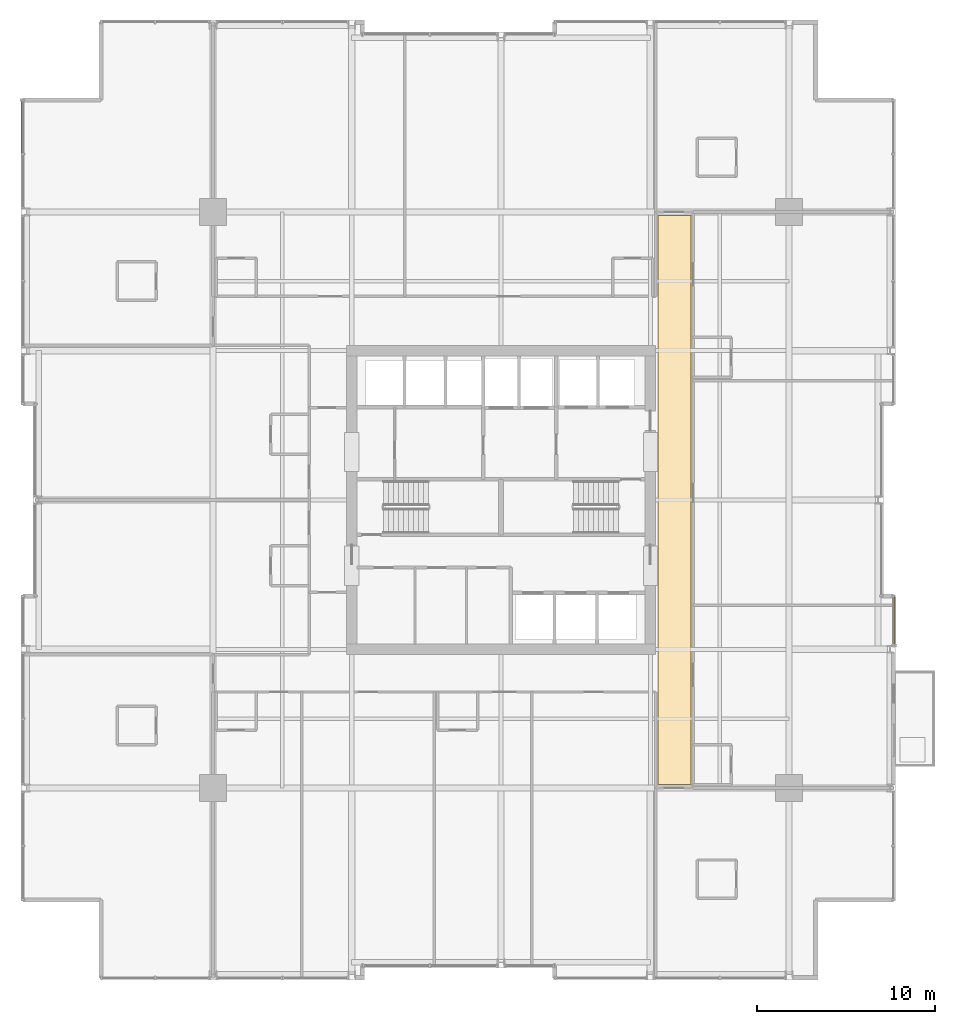
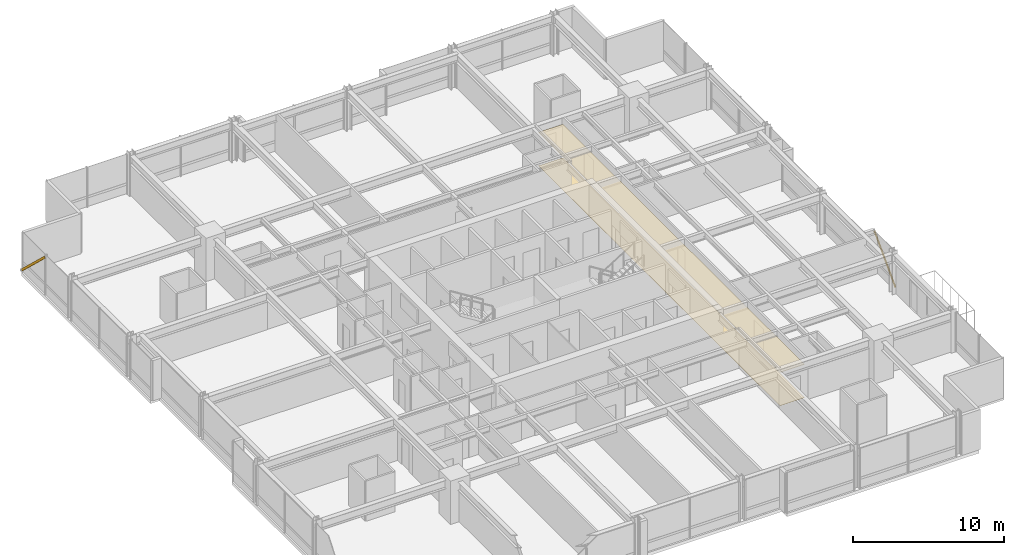
# One storey, part 33 of 33: 2 coverings, 2 shading devices.
"""IFC4 building model written with IfcOpenShell, lengths in metres."""

from ifc_helpers import new_model, si_unit, direction, frame, origin, origin_2d, place, context, subcontext, project, spatial, polyline, hollow_rectangle, outline, extrude, material, layer, layer_set, material_profile, profile_set, type_object, element, save


model = new_model("IFC4")

# Units and contexts
model_context = context("Model", 3, precision=1e-05, world=origin(), true_north=direction((0.0, 1.0)))
body_context = subcontext(model_context, "Body", "Model", "MODEL_VIEW")
ifc_project = project(units=[si_unit("LENGTHUNIT", "METRE"), si_unit("AREAUNIT", "SQUARE_METRE"), si_unit("VOLUMEUNIT", "CUBIC_METRE"), si_unit("PLANEANGLEUNIT", "RADIAN"), si_unit("MASSUNIT", "GRAM", prefix="KILO")], contexts=[model_context])

# Site, building, storey
site_placement = place(None, origin())
site = spatial("IfcSite", under=ifc_project, at=site_placement, CompositionType="ELEMENT")
building_placement = place(site_placement, origin())
building = spatial("IfcBuilding", under=site, at=building_placement, Name="Drelvath Grand Hotel", CompositionType="ELEMENT")
storey_placement = place(building_placement, frame((0.0, 0.0, 119.800048828125)))
storey = spatial("IfcBuildingStorey", under=building, at=storey_placement, Name="L30", CompositionType="ELEMENT", Elevation=119.800048828125)

# Shading devices
ifc_material_1 = material(Name="Champagne Bronze Anodised Aluminium", Category="aluminium")
ifc_material_profile = material_profile(ifc_material_1, hollow_rectangle(XDim=0.06494140625, YDim=0.159912109375, WallThickness=0.00390625, at=origin_2d()), Name="HSS160X65X4")
ifc_profile_set = profile_set([ifc_material_profile], Name="Champagne Bronze Anodised Aluminium")
shading_device_type = type_object("IfcShadingDeviceType", Name="Diagonal Solar Fin Champagne Anodised HSS160X65X4", PredefinedType="USERDEFINED", material=ifc_profile_set)
shading_device_1_placement = place(storey_placement, frame((-26.9599609375, 49.5, 0.179931640625), z_axis=(0.0, -0.72654778604, 0.687115939708), x_axis=(1.0, 0.0, 0.0)))
element("IfcShadingDevice", 1, at=shading_device_1_placement, inside=storey, type_object=shading_device_type, Name="L30 Diagonal Anodised Fin CW03-L30-WN3", ObjectType="FIN", PredefinedType="USERDEFINED", context=body_context, shape_type="SweptSolid", body=[
    extrude(hollow_rectangle(XDim=0.06494140625, YDim=0.159912109375, WallThickness=0.00390625, at=origin_2d()), origin(), (0.0, 0.0, 1.0), 4.191650390625),
])
shading_device_2_placement = place(storey_placement, frame((22.159912109375, 18.809326171875, 0.179931640625), z_axis=(0.0, 0.69587862873, 0.718159407149), x_axis=(-1.0, 0.0, 0.0)))
element("IfcShadingDevice", 2, at=shading_device_2_placement, inside=storey, type_object=shading_device_type, Name="L30 Diagonal Anodised Fin CW03-L30-ES3", ObjectType="FIN", PredefinedType="USERDEFINED", context=body_context, shape_type="SweptSolid", body=[
    extrude(hollow_rectangle(XDim=0.06494140625, YDim=0.159912109375, WallThickness=0.00390625, at=origin_2d()), origin(), (0.0, 0.0, 1.0), 4.010498046875),
])

# Coverings
ifc_material_2 = material(Name="Woven Wool Broadloom Carpet")
ifc_layer_1 = layer(ifc_material_2, 0.01806640625)
ifc_layer_set_1 = layer_set([ifc_layer_1], Name="Woven Wool Broadloom Carpet")
covering_type_1 = type_object("IfcCoveringType", Name="Hospitality Broadloom Carpet 18", PredefinedType="FLOORING", material=ifc_layer_set_1)
covering_1_placement = place(storey_placement, origin())
element("IfcCovering", 3, at=covering_1_placement, inside=storey, type_object=covering_type_1, Name="L30 East Spine Carpet", PredefinedType="FLOORING", context=body_context, shape_type="SweptSolid", body=[
    extrude(outline(polyline([(10.679931640625, 11.0), (10.679931640625, 43.0), (8.820068359375, 43.0), (8.820068359375, 11.0), (10.679931640625, 11.0)])), origin(), (0.0, 0.0, 1.0), 0.01806640625),
])
ifc_material_3 = material(Name="Anodised Aluminium Alloy", Category="aluminium")
ifc_layer_2 = layer(ifc_material_3, 0.0400390625)
ifc_layer_set_2 = layer_set([ifc_layer_2], Name="Anodised Aluminium Alloy")
covering_type_2 = type_object("IfcCoveringType", Name="Perforated Metal Corridor Ceiling 40", PredefinedType="CEILING", material=ifc_layer_set_2)
covering_2_placement = place(storey_placement, frame((0.0, 0.0, 2.68994140625)))
element("IfcCovering", 4, at=covering_2_placement, inside=storey, type_object=covering_type_2, Name="L30 East Spine Ceiling", PredefinedType="CEILING", context=body_context, shape_type="SweptSolid", body=[
    extrude(outline(polyline([(10.679931640625, 11.0), (10.679931640625, 43.0), (8.820068359375, 43.0), (8.820068359375, 11.0), (10.679931640625, 11.0)])), origin(), (0.0, 0.0, 1.0), 0.0400390625),
])

save(model, "model.ifc")
